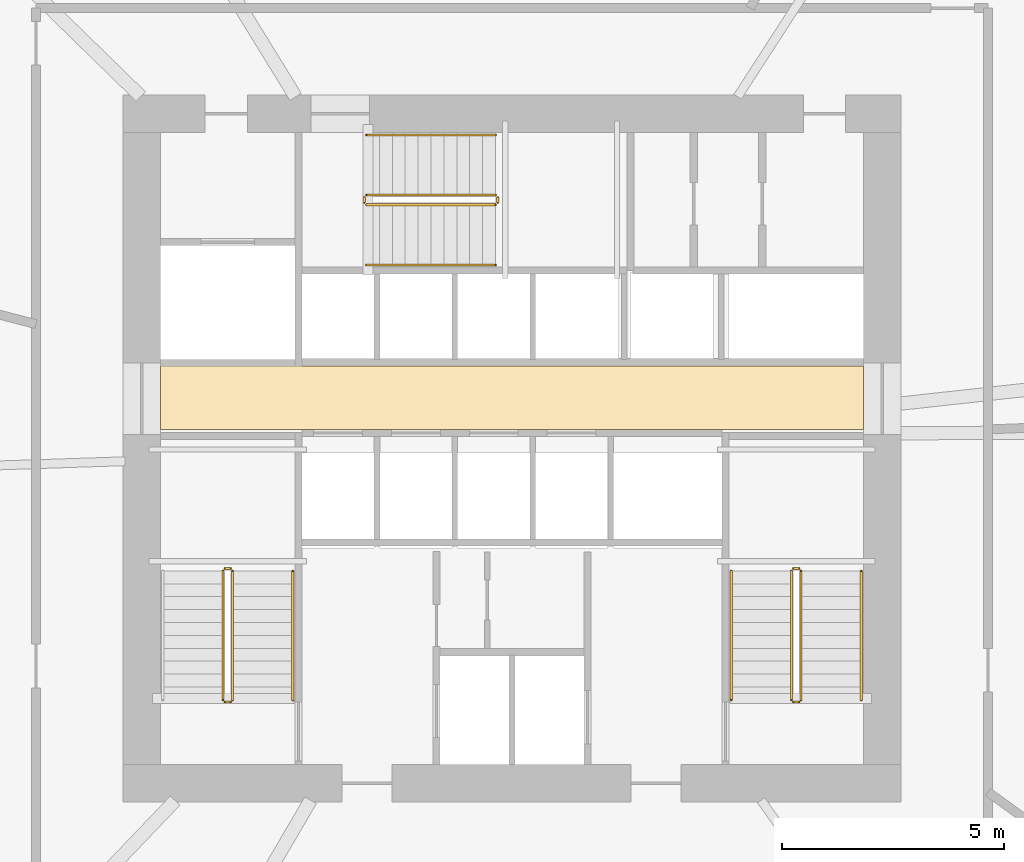
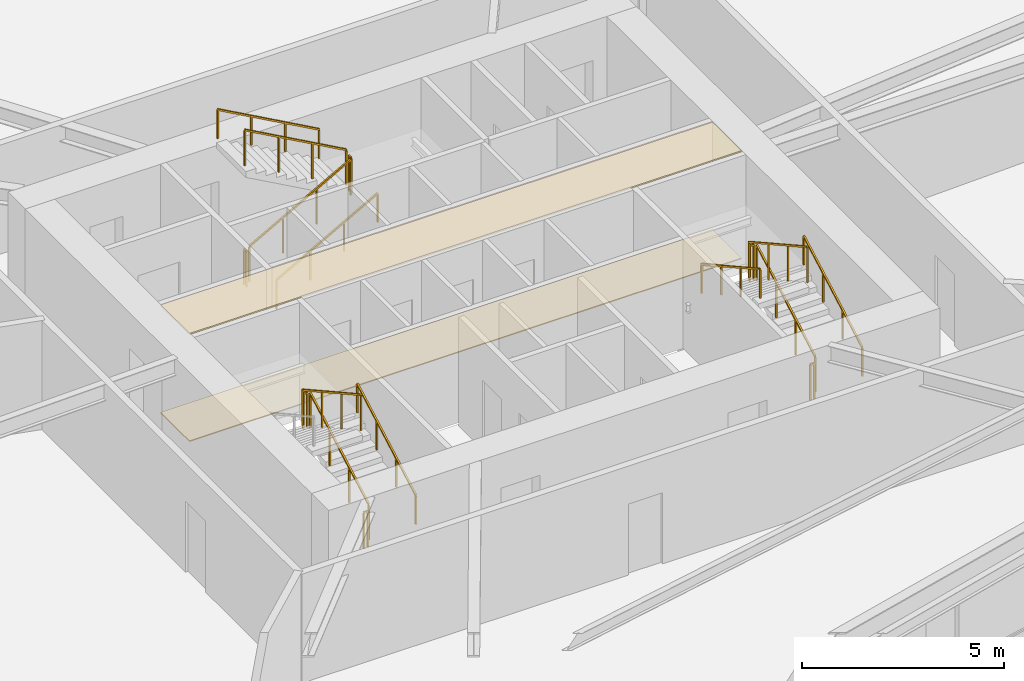
# One storey, part 20 of 21: 17 railings, 2 coverings.
"""IFC4 building model written with IfcOpenShell, lengths in metres."""

import ifcopenshell
import ifcopenshell.guid

model = None  # the IFC model being written
_history = None  # IfcOwnerHistory: only IFC2X3 demands one
_inside = {}  # id of a spatial element -> (the spatial element, [elements in it])
_under = {}  # id of a project, library or spatial element -> (it, [spatial elements below it])
_declared = {}  # id of a project -> (the project, [libraries it declares])
_typed = {}  # id of a type object -> (the type object, [elements of that type])
_made_of = {}  # id of a material, layer set ... -> (it, [elements and type objects made of it])


def new_model(schema):
    """Start an empty IFC model of exactly this schema.

    Asked for "IFC4X3", IfcOpenShell would pick the latest addendum, in which some entities
    have other attributes; the version numbers below select the first issue.
    IFC2X3 requires an IfcOwnerHistory on every rooted entity: one is made here for all.
    """
    global model, _history
    if schema == "IFC4X3":
        model = ifcopenshell.file(schema_version=(4, 3, 0, 0))
    else:
        model = ifcopenshell.file(schema=schema)
    _inside.clear()
    _under.clear()
    _declared.clear()
    _typed.clear()
    _made_of.clear()
    _history = None
    if model.schema == "IFC2X3":
        org = make("IfcOrganization", Name="unknown")
        user = make(
            "IfcPersonAndOrganization",
            ThePerson=make("IfcPerson", FamilyName="unknown"),
            TheOrganization=org,
        )
        app = make(
            "IfcApplication",
            ApplicationDeveloper=org,
            Version="unknown",
            ApplicationFullName="unknown",
            ApplicationIdentifier="unknown",
        )
        _history = make(
            "IfcOwnerHistory",
            OwningUser=user,
            OwningApplication=app,
            ChangeAction="ADDED",
            CreationDate=0,
        )
    return model


def make(cls, **values):
    """One entity of the class cls with the attributes given. An attribute that is None is left unset."""
    return model.create_entity(
        cls, **{name: value for name, value in values.items() if value is not None}
    )


def rooted(cls, **values):
    """An entity with a GlobalId (a new one), such as an element, a storey or a relation."""
    return make(cls, GlobalId=ifcopenshell.guid.new(), OwnerHistory=_history, **values)


def si_unit(unit_type, name, prefix=None):
    """IfcSIUnit, for example si_unit("LENGTHUNIT", "METRE", prefix="MILLI")."""
    return make("IfcSIUnit", UnitType=unit_type, Prefix=prefix, Name=name)


def assignment(units):
    """IfcUnitAssignment: the units of a project."""
    return None if units is None else make("IfcUnitAssignment", Units=units)


def point(xyz):
    """IfcCartesianPoint."""
    return None if xyz is None else make("IfcCartesianPoint", Coordinates=xyz)


def direction(xyz):
    """IfcDirection."""
    return None if xyz is None else make("IfcDirection", DirectionRatios=xyz)


def frame(location, z_axis=None, x_axis=None):
    """IfcAxis2Placement3D, a coordinate frame: its origin and axes. An axis left out is left unset."""
    return make(
        "IfcAxis2Placement3D",
        Location=point(location),
        Axis=direction(z_axis),
        RefDirection=direction(x_axis),
    )


def frame_2d(location, x_axis=None):
    """IfcAxis2Placement2D, a coordinate frame in the plane: its origin and x axis."""
    return make(
        "IfcAxis2Placement2D", Location=point(location), RefDirection=direction(x_axis)
    )


def origin():
    """The frame at (0, 0, 0) with its axes left unset."""
    return frame((0.0, 0.0, 0.0))


def origin_2d():
    """The frame at (0, 0) in the plane with its x axis left unset."""
    return frame_2d((0.0, 0.0))


def place(relative_to, where):
    """IfcLocalPlacement: puts the frame where relative to a parent placement (None: the world)."""
    return make(
        "IfcLocalPlacement", PlacementRelTo=relative_to, RelativePlacement=where
    )


def context(
    kind, dimensions, precision=None, world=None, true_north=None, identifier=None
):
    """IfcGeometricRepresentationContext, for example the 3D "Model" context."""
    return make(
        "IfcGeometricRepresentationContext",
        ContextIdentifier=identifier,
        ContextType=kind,
        CoordinateSpaceDimension=dimensions,
        Precision=precision,
        WorldCoordinateSystem=world,
        TrueNorth=true_north,
    )


def subcontext(parent, identifier, kind, view, scale=None):
    """IfcGeometricRepresentationSubContext, for example "Body" below "Model"."""
    return make(
        "IfcGeometricRepresentationSubContext",
        ContextIdentifier=identifier,
        ContextType=kind,
        ParentContext=parent,
        TargetScale=scale,
        TargetView=view,
    )


def project(units=None, contexts=None):
    """IfcProject with its units and contexts."""
    return rooted(
        "IfcProject",
        Name="project",
        RepresentationContexts=contexts,
        UnitsInContext=assignment(units),
    )


def spatial(cls, under=None, at=None, **own):
    """A site, building, storey or space (cls), placed at a placement, below another one or the project."""
    s = rooted(cls, ObjectPlacement=at, **own)
    if under is not None:
        _under.setdefault(under.id(), (under, []))[1].append(s)
    return s


def polyline(points):
    """IfcPolyline through the points."""
    return make("IfcPolyline", Points=[point(p) for p in points])


def profile(cls, at=None, kind="AREA", **sizes):
    """A parametric profile (cls). Its sizes go by their IFC names, for example OverallWidth=200.0."""
    return make(cls, ProfileType=kind, Position=at, **sizes)


def rectangle(**sizes):
    """IfcRectangleProfileDef."""
    return profile("IfcRectangleProfileDef", **sizes)


def outline(outer, holes=None, kind="AREA"):
    """IfcArbitraryClosedProfileDef: a profile drawn as a closed curve; with holes, ...WithVoids."""
    if holes is None:
        return make("IfcArbitraryClosedProfileDef", ProfileType=kind, OuterCurve=outer)
    return make(
        "IfcArbitraryProfileDefWithVoids",
        ProfileType=kind,
        OuterCurve=outer,
        InnerCurves=holes,
    )


def extrude(swept, where, along, depth):
    """IfcExtrudedAreaSolid: the profile swept, set in the frame where, extruded along a direction by depth."""
    return make(
        "IfcExtrudedAreaSolid",
        SweptArea=swept,
        Position=where,
        ExtrudedDirection=direction(along),
        Depth=depth,
    )


def shape(context_of_items, identifier, shape_type, items):
    """IfcShapeRepresentation: the items that make up one representation, for example the "Body"."""
    return make(
        "IfcShapeRepresentation",
        ContextOfItems=context_of_items,
        RepresentationIdentifier=identifier,
        RepresentationType=shape_type,
        Items=items,
    )


def material(Name=None, Category=None):
    """IfcMaterial."""
    return make("IfcMaterial", Name=Name, Category=Category)


def layer(
    of_material, thickness, ventilated=None, Name=None, Category=None, Priority=None
):
    """IfcMaterialLayer: one layer of a wall or slab, of a material (None: an air gap)."""
    return make(
        "IfcMaterialLayer",
        Material=of_material,
        LayerThickness=thickness,
        IsVentilated=ventilated,
        Name=Name,
        Category=Category,
        Priority=Priority,
    )


def layer_set(layers, Name=None):
    """IfcMaterialLayerSet."""
    return make("IfcMaterialLayerSet", MaterialLayers=layers, LayerSetName=Name)


def made_of(thing, what):
    """Note that an element or type object is made of a material, layer set ...; save() writes the relation."""
    if what is not None:
        _made_of.setdefault(what.id(), (what, []))[1].append(thing)
    return thing


def type_object(cls, material=None, **own):
    """A type object (cls), such as IfcWallType, which elements share."""
    return made_of(rooted(cls, **own), material)


def element(
    cls,
    number,
    at=None,
    inside=None,
    cuts=None,
    type_object=None,
    material=None,
    context=None,
    identifier="Body",
    shape_type=None,
    held_by="IfcProductDefinitionShape",
    body=None,
    shapes=None,
    **own,
):
    """One element of the class cls, such as IfcWall. Its Tag is "e" and its number.

    at: its placement. inside: the storey or other place that contains it. cuts: it is an
    opening in that element (IfcRelVoidsElement). A single representation is given by context,
    identifier, shape_type and body (its items); several are given by shapes. held_by: the class
    of the entity that holds the representations. save() writes the other relations.
    """
    e = rooted(cls, Tag="e%d" % number, ObjectPlacement=at, **own)
    if body is not None:
        shapes = [shape(context, identifier, shape_type, body)]
    if shapes is not None:
        e.Representation = make(held_by, Representations=shapes)
    if inside is not None:
        _inside.setdefault(inside.id(), (inside, []))[1].append(e)
    if cuts is not None:
        rooted(
            "IfcRelVoidsElement", RelatingBuildingElement=cuts, RelatedOpeningElement=e
        )
    if type_object is not None:
        _typed.setdefault(type_object.id(), (type_object, []))[1].append(e)
    return made_of(e, material)


def aggregate(whole, parts):
    """IfcRelAggregates: a whole, such as a stair, and the parts it consists of."""
    return rooted("IfcRelAggregates", RelatingObject=whole, RelatedObjects=parts)


def save(model, path):
    """Write the relations noted so far, then the file.

    IfcRelAggregates (storeys below a building ...), IfcRelContainedInSpatialStructure (elements
    in a storey), IfcRelDefinesByType, IfcRelAssociatesMaterial and IfcRelDeclares: one each for
    every whole, place, type object, material and project.
    """
    for whole, parts in _under.values():
        aggregate(whole, parts)
    for where, things in _inside.values():
        rooted(
            "IfcRelContainedInSpatialStructure",
            RelatedElements=things,
            RelatingStructure=where,
        )
    for kind, things in _typed.values():
        rooted("IfcRelDefinesByType", RelatedObjects=things, RelatingType=kind)
    for what, things in _made_of.values():
        rooted("IfcRelAssociatesMaterial", RelatedObjects=things, RelatingMaterial=what)
    for by, libraries in _declared.values():
        rooted("IfcRelDeclares", RelatingContext=by, RelatedDefinitions=libraries)
    model.write(path)


model = new_model("IFC4")

# Units and contexts
model_context = context("Model", 3, precision=1e-05, world=origin(), true_north=direction((0.0, 1.0)))
body_context = subcontext(model_context, "Body", "Model", "MODEL_VIEW")
ifc_project = project(units=[si_unit("LENGTHUNIT", "METRE"), si_unit("AREAUNIT", "SQUARE_METRE"), si_unit("VOLUMEUNIT", "CUBIC_METRE"), si_unit("PLANEANGLEUNIT", "RADIAN"), si_unit("MASSUNIT", "GRAM", prefix="KILO")], contexts=[model_context])

# Site, building, storey
site_placement = place(None, origin())
site = spatial("IfcSite", under=ifc_project, at=site_placement, CompositionType="ELEMENT")
building_placement = place(site_placement, origin())
building = spatial("IfcBuilding", under=site, at=building_placement, Name="Olszyna Solenne Hotel", CompositionType="ELEMENT")
storey_placement = place(building_placement, frame((0.0, 0.0, 39.949951171875)))
storey = spatial("IfcBuildingStorey", under=building, at=storey_placement, Name="L09", CompositionType="ELEMENT", Elevation=39.949951171875)

# Coverings
ifc_material_1 = material(Name="Mineral wool acoustic ceiling")
ifc_layer_1 = layer(ifc_material_1, 0.0400390625, Name="Mineral wool acoustic ceiling")
ifc_layer_set_1 = layer_set([ifc_layer_1], Name="Mineral wool acoustic ceiling")
covering_type_1 = type_object("IfcCoveringType", Name="CL-AC1", PredefinedType="CEILING", material=ifc_layer_set_1)
covering_1_placement = place(storey_placement, frame((0.0, 0.0, 3.239990234375)))
element("IfcCovering", 1, at=covering_1_placement, inside=storey, type_object=covering_type_1, Name="Lift lobby acoustic tile ceiling CL-L09-01", PredefinedType="CEILING", context=body_context, shape_type="SweptSolid", body=[
    extrude(outline(polyline([(30.10009765625, 27.030029296875), (45.89990234375, 27.030029296875), (45.89990234375, 28.4599609375), (30.10009765625, 28.4599609375), (30.10009765625, 27.030029296875)])), origin(), (0.0, 0.0, 1.0), 0.0400390625),
])
ifc_material_2 = material(Name="Ceramic floor tile")
ifc_layer_2 = layer(ifc_material_2, 0.030029296875, Name="Ceramic floor tile")
ifc_layer_set_2 = layer_set([ifc_layer_2], Name="Ceramic floor tile")
covering_type_2 = type_object("IfcCoveringType", Name="FL-TL1", PredefinedType="FLOORING", material=ifc_layer_set_2)
covering_2_placement = place(storey_placement, origin())
element("IfcCovering", 2, at=covering_2_placement, inside=storey, type_object=covering_type_2, Name="Lift lobby stoneware floor finish FLR-L09-01", PredefinedType="FLOORING", context=body_context, shape_type="SweptSolid", body=[
    extrude(outline(polyline([(30.10009765625, 27.030029296875), (45.89990234375, 27.030029296875), (45.89990234375, 28.4599609375), (30.10009765625, 28.4599609375), (30.10009765625, 27.030029296875)])), origin(), (0.0, 0.0, 1.0), 0.030029296875),
])

# Railings
ifc_material_3 = material(Name="Anodised bronze aluminium", Category="aluminium")
railing_type_1 = type_object("IfcRailingType", Name="GR-110", PredefinedType="BALUSTRADE", material=ifc_material_3)
railing_1_placement = place(storey_placement, frame((31.719970703125, 20.949951171875, 0.161376953125)))
element("IfcRailing", 3, at=railing_1_placement, inside=storey, type_object=railing_type_1, Name="L09 ST1 stair guard 1", PredefinedType="BALUSTRADE", context=body_context, shape_type="SweptSolid", body=[
    extrude(rectangle(XDim=0.048095703125, YDim=0.048095703125, at=origin_2d()), frame((0.0, 0.0, 1.076171875), z_axis=(0.0, 0.873827439584, 0.48623616261), x_axis=(-1.0, 0.0, 0.0)), (0.0, 0.0, 1.0), 3.31884765625),
    extrude(rectangle(XDim=0.0419921875, YDim=0.0419921875, at=origin_2d()), origin(), (0.0, 0.0, 1.0), 1.052001953125),
    extrude(rectangle(XDim=0.0419921875, YDim=0.0419921875, at=origin_2d()), frame((0.0, 0.966796875, 0.537841796875)), (0.0, 0.0, 1.0), 1.052001953125),
    extrude(rectangle(XDim=0.0419921875, YDim=0.0419921875, at=origin_2d()), frame((0.0, 1.933349609375, 1.075927734375)), (0.0, 0.0, 1.0), 1.052001953125),
    extrude(rectangle(XDim=0.0419921875, YDim=0.0419921875, at=origin_2d()), frame((0.0, 2.900146484375, 1.61376953125)), (0.0, 0.0, 1.0), 1.052001953125),
])
railing_2_placement = place(storey_placement, frame((31.669921875, 23.89990234375, 1.775146484375)))
element("IfcRailing", 4, at=railing_2_placement, inside=storey, type_object=railing_type_1, Name="L09 ST1 stair guard 2", PredefinedType="BALUSTRADE", context=body_context, shape_type="SweptSolid", body=[
    extrude(rectangle(XDim=0.048095703125, YDim=0.048095703125, at=origin_2d()), frame((0.0, 0.0, 1.076171875), z_axis=(-1.0, 0.0, 0.0), x_axis=(0.0, -1.0, 0.0)), (0.0, 0.0, 1.0), 0.119873046875),
    extrude(rectangle(XDim=0.0419921875, YDim=0.0419921875, at=origin_2d()), origin(), (0.0, 0.0, 1.0), 1.052001953125),
    extrude(rectangle(XDim=0.0419921875, YDim=0.0419921875, at=origin_2d()), frame((-0.119873046875, 0.0, 0.0)), (0.0, 0.0, 1.0), 1.052001953125),
])
railing_3_placement = place(storey_placement, frame((31.5, 23.85009765625, 1.9365234375)))
element("IfcRailing", 5, at=railing_3_placement, inside=storey, type_object=railing_type_1, Name="L09 ST1 stair guard 3", PredefinedType="BALUSTRADE", context=body_context, shape_type="SweptSolid", body=[
    extrude(rectangle(XDim=0.048095703125, YDim=0.048095703125, at=origin_2d()), frame((0.0, 0.0, 1.076171875), z_axis=(0.0, -0.873858693841, 0.486179990537), x_axis=(1.0, 0.0, 0.0)), (0.0, 0.0, 1.0), 3.31884765625),
    extrude(rectangle(XDim=0.0419921875, YDim=0.0419921875, at=origin_2d()), origin(), (0.0, 0.0, 1.0), 1.052001953125),
    extrude(rectangle(XDim=0.0419921875, YDim=0.0419921875, at=origin_2d()), frame((0.0, -0.966796875, 0.537841796875)), (0.0, 0.0, 1.0), 1.052001953125),
    extrude(rectangle(XDim=0.0419921875, YDim=0.0419921875, at=origin_2d()), frame((0.0, -1.933349609375, 1.07568359375)), (0.0, 0.0, 1.0), 1.052001953125),
    extrude(rectangle(XDim=0.0419921875, YDim=0.0419921875, at=origin_2d()), frame((0.0, -2.900146484375, 1.613525390625)), (0.0, 0.0, 1.0), 1.052001953125),
])
railing_4_placement = place(storey_placement, frame((31.669921875, 20.89990234375, 0.0)))
element("IfcRailing", 6, at=railing_4_placement, inside=storey, type_object=railing_type_1, Name="L09 ST1 stair guard 4", PredefinedType="BALUSTRADE", context=body_context, shape_type="SweptSolid", body=[
    extrude(rectangle(XDim=0.048095703125, YDim=0.048095703125, at=origin_2d()), frame((0.0, 0.0, 1.076171875), z_axis=(-1.0, 0.0, 0.0), x_axis=(0.0, -1.0, 0.0)), (0.0, 0.0, 1.0), 0.119873046875),
    extrude(rectangle(XDim=0.0419921875, YDim=0.0419921875, at=origin_2d()), origin(), (0.0, 0.0, 1.0), 1.052001953125),
    extrude(rectangle(XDim=0.0419921875, YDim=0.0419921875, at=origin_2d()), frame((-0.119873046875, 0.0, 0.0)), (0.0, 0.0, 1.0), 1.052001953125),
])
railing_5_placement = place(storey_placement, frame((44.5, 20.949951171875, 0.161376953125)))
element("IfcRailing", 7, at=railing_5_placement, inside=storey, type_object=railing_type_1, Name="L09 ST2 stair guard 1", PredefinedType="BALUSTRADE", context=body_context, shape_type="SweptSolid", body=[
    extrude(rectangle(XDim=0.048095703125, YDim=0.048095703125, at=origin_2d()), frame((0.0, 0.0, 1.076171875), z_axis=(0.0, 0.873827439584, 0.48623616261), x_axis=(-1.0, 0.0, 0.0)), (0.0, 0.0, 1.0), 3.31884765625),
    extrude(rectangle(XDim=0.0419921875, YDim=0.0419921875, at=origin_2d()), origin(), (0.0, 0.0, 1.0), 1.052001953125),
    extrude(rectangle(XDim=0.0419921875, YDim=0.0419921875, at=origin_2d()), frame((0.0, 0.966796875, 0.537841796875)), (0.0, 0.0, 1.0), 1.052001953125),
    extrude(rectangle(XDim=0.0419921875, YDim=0.0419921875, at=origin_2d()), frame((0.0, 1.933349609375, 1.075927734375)), (0.0, 0.0, 1.0), 1.052001953125),
    extrude(rectangle(XDim=0.0419921875, YDim=0.0419921875, at=origin_2d()), frame((0.0, 2.900146484375, 1.61376953125)), (0.0, 0.0, 1.0), 1.052001953125),
])
railing_6_placement = place(storey_placement, frame((44.449951171875, 23.89990234375, 1.775146484375)))
element("IfcRailing", 8, at=railing_6_placement, inside=storey, type_object=railing_type_1, Name="L09 ST2 stair guard 2", PredefinedType="BALUSTRADE", context=body_context, shape_type="SweptSolid", body=[
    extrude(rectangle(XDim=0.048095703125, YDim=0.048095703125, at=origin_2d()), frame((0.0, 0.0, 1.076171875), z_axis=(-1.0, 0.0, 0.0), x_axis=(0.0, -1.0, 0.0)), (0.0, 0.0, 1.0), 0.119873046875),
    extrude(rectangle(XDim=0.0419921875, YDim=0.0419921875, at=origin_2d()), origin(), (0.0, 0.0, 1.0), 1.052001953125),
    extrude(rectangle(XDim=0.0419921875, YDim=0.0419921875, at=origin_2d()), frame((-0.119873046875, 0.0, 0.0)), (0.0, 0.0, 1.0), 1.052001953125),
])
railing_7_placement = place(storey_placement, frame((44.280029296875, 23.85009765625, 1.9365234375)))
element("IfcRailing", 9, at=railing_7_placement, inside=storey, type_object=railing_type_1, Name="L09 ST2 stair guard 3", PredefinedType="BALUSTRADE", context=body_context, shape_type="SweptSolid", body=[
    extrude(rectangle(XDim=0.048095703125, YDim=0.048095703125, at=origin_2d()), frame((0.0, 0.0, 1.076171875), z_axis=(0.0, -0.873858693841, 0.486179990537), x_axis=(1.0, 0.0, 0.0)), (0.0, 0.0, 1.0), 3.31884765625),
    extrude(rectangle(XDim=0.0419921875, YDim=0.0419921875, at=origin_2d()), origin(), (0.0, 0.0, 1.0), 1.052001953125),
    extrude(rectangle(XDim=0.0419921875, YDim=0.0419921875, at=origin_2d()), frame((0.0, -0.966796875, 0.537841796875)), (0.0, 0.0, 1.0), 1.052001953125),
    extrude(rectangle(XDim=0.0419921875, YDim=0.0419921875, at=origin_2d()), frame((0.0, -1.933349609375, 1.07568359375)), (0.0, 0.0, 1.0), 1.052001953125),
    extrude(rectangle(XDim=0.0419921875, YDim=0.0419921875, at=origin_2d()), frame((0.0, -2.900146484375, 1.613525390625)), (0.0, 0.0, 1.0), 1.052001953125),
])
railing_8_placement = place(storey_placement, frame((44.449951171875, 20.89990234375, 0.0)))
element("IfcRailing", 10, at=railing_8_placement, inside=storey, type_object=railing_type_1, Name="L09 ST2 stair guard 4", PredefinedType="BALUSTRADE", context=body_context, shape_type="SweptSolid", body=[
    extrude(rectangle(XDim=0.048095703125, YDim=0.048095703125, at=origin_2d()), frame((0.0, 0.0, 1.076171875), z_axis=(-1.0, 0.0, 0.0), x_axis=(0.0, -1.0, 0.0)), (0.0, 0.0, 1.0), 0.119873046875),
    extrude(rectangle(XDim=0.0419921875, YDim=0.0419921875, at=origin_2d()), origin(), (0.0, 0.0, 1.0), 1.052001953125),
    extrude(rectangle(XDim=0.0419921875, YDim=0.0419921875, at=origin_2d()), frame((-0.119873046875, 0.0, 0.0)), (0.0, 0.0, 1.0), 1.052001953125),
])
railing_9_placement = place(storey_placement, frame((34.72998046875, 32.080078125, 0.161376953125)))
element("IfcRailing", 11, at=railing_9_placement, inside=storey, type_object=railing_type_1, Name="L09 ST3 stair guard 1", PredefinedType="BALUSTRADE", context=body_context, shape_type="SweptSolid", body=[
    extrude(rectangle(XDim=0.048095703125, YDim=0.048095703125, at=origin_2d()), frame((0.0, 0.0, 1.076171875), z_axis=(0.873810046276, 0.0, 0.486267419253), x_axis=(0.0, 1.0, 0.0)), (0.0, 0.0, 1.0), 3.318603515625),
    extrude(rectangle(XDim=0.0419921875, YDim=0.0419921875, at=origin_2d()), origin(), (0.0, 0.0, 1.0), 1.052001953125),
    extrude(rectangle(XDim=0.0419921875, YDim=0.0419921875, at=origin_2d()), frame((0.966552734375, 0.0, 0.537841796875)), (0.0, 0.0, 1.0), 1.052001953125),
    extrude(rectangle(XDim=0.0419921875, YDim=0.0419921875, at=origin_2d()), frame((1.933349609375, 0.0, 1.075927734375)), (0.0, 0.0, 1.0), 1.052001953125),
    extrude(rectangle(XDim=0.0419921875, YDim=0.0419921875, at=origin_2d()), frame((2.89990234375, 0.0, 1.61376953125)), (0.0, 0.0, 1.0), 1.052001953125),
])
railing_10_placement = place(storey_placement, frame((37.679931640625, 32.1298828125, 1.775146484375)))
element("IfcRailing", 12, at=railing_10_placement, inside=storey, type_object=railing_type_1, Name="L09 ST3 stair guard 2", PredefinedType="BALUSTRADE", context=body_context, shape_type="SweptSolid", body=[
    extrude(rectangle(XDim=0.048095703125, YDim=0.048095703125, at=origin_2d()), frame((0.0, 0.0, 1.076171875), z_axis=(0.0, 1.0, 0.0), x_axis=(-1.0, 0.0, 0.0)), (0.0, 0.0, 1.0), 0.1201171875),
    extrude(rectangle(XDim=0.0419921875, YDim=0.0419921875, at=origin_2d()), origin(), (0.0, 0.0, 1.0), 1.052001953125),
    extrude(rectangle(XDim=0.0419921875, YDim=0.0419921875, at=origin_2d()), frame((0.0, 0.1201171875, 0.0)), (0.0, 0.0, 1.0), 1.052001953125),
])
railing_11_placement = place(storey_placement, frame((37.6298828125, 32.300048828125, 1.9365234375)))
element("IfcRailing", 13, at=railing_11_placement, inside=storey, type_object=railing_type_1, Name="L09 ST3 stair guard 3", PredefinedType="BALUSTRADE", context=body_context, shape_type="SweptSolid", body=[
    extrude(rectangle(XDim=0.048095703125, YDim=0.048095703125, at=origin_2d()), frame((0.0, 0.0, 1.076171875), z_axis=(-0.873841303929, 0.0, 0.486211245805), x_axis=(0.0, -1.0, 0.0)), (0.0, 0.0, 1.0), 3.318603515625),
    extrude(rectangle(XDim=0.0419921875, YDim=0.0419921875, at=origin_2d()), origin(), (0.0, 0.0, 1.0), 1.052001953125),
    extrude(rectangle(XDim=0.0419921875, YDim=0.0419921875, at=origin_2d()), frame((-0.966552734375, 0.0, 0.537841796875)), (0.0, 0.0, 1.0), 1.052001953125),
    extrude(rectangle(XDim=0.0419921875, YDim=0.0419921875, at=origin_2d()), frame((-1.933349609375, 0.0, 1.07568359375)), (0.0, 0.0, 1.0), 1.052001953125),
    extrude(rectangle(XDim=0.0419921875, YDim=0.0419921875, at=origin_2d()), frame((-2.89990234375, 0.0, 1.613525390625)), (0.0, 0.0, 1.0), 1.052001953125),
])
railing_12_placement = place(storey_placement, frame((34.679931640625, 32.1298828125, 0.0)))
element("IfcRailing", 14, at=railing_12_placement, inside=storey, type_object=railing_type_1, Name="L09 ST3 stair guard 4", PredefinedType="BALUSTRADE", context=body_context, shape_type="SweptSolid", body=[
    extrude(rectangle(XDim=0.048095703125, YDim=0.048095703125, at=origin_2d()), frame((0.0, 0.0, 1.076171875), z_axis=(0.0, 1.0, 0.0), x_axis=(-1.0, 0.0, 0.0)), (0.0, 0.0, 1.0), 0.1201171875),
    extrude(rectangle(XDim=0.0419921875, YDim=0.0419921875, at=origin_2d()), origin(), (0.0, 0.0, 1.0), 1.052001953125),
    extrude(rectangle(XDim=0.0419921875, YDim=0.0419921875, at=origin_2d()), frame((0.0, 0.1201171875, 0.0)), (0.0, 0.0, 1.0), 1.052001953125),
])
ifc_material_4 = material(Name="Steel S355J2", Category="steel")
railing_type_2 = type_object("IfcRailingType", Name="HR-090", PredefinedType="HANDRAIL", material=ifc_material_4)
for number, where, name in (
    (15, (33.070068359375, 20.949951171875, 0.161376953125), "L09 ST1 stair handrail 1"),
    (16, (45.85009765625, 20.949951171875, 0.161376953125), "L09 ST2 stair handrail 1"),
):
    element("IfcRailing", number, at=place(storey_placement, frame(where)), inside=storey, type_object=railing_type_2, Name=name, PredefinedType="HANDRAIL", context=body_context, shape_type="SweptSolid", body=[
        extrude(rectangle(XDim=0.048095703125, YDim=0.048095703125, at=origin_2d()), frame((0.0, 0.0, 0.8759765625), z_axis=(0.0, 0.873827439584, 0.48623616261), x_axis=(-1.0, 0.0, 0.0)), (0.0, 0.0, 1.0), 3.31884765625),
        extrude(rectangle(XDim=0.0419921875, YDim=0.0419921875, at=origin_2d()), origin(), (0.0, 0.0, 1.0), 0.851806640625),
        extrude(rectangle(XDim=0.0419921875, YDim=0.0419921875, at=origin_2d()), frame((0.0, 0.966796875, 0.537841796875)), (0.0, 0.0, 1.0), 0.851806640625),
        extrude(rectangle(XDim=0.0419921875, YDim=0.0419921875, at=origin_2d()), frame((0.0, 1.933349609375, 1.075927734375)), (0.0, 0.0, 1.0), 0.851806640625),
        extrude(rectangle(XDim=0.0419921875, YDim=0.0419921875, at=origin_2d()), frame((0.0, 2.900146484375, 1.61376953125)), (0.0, 0.0, 1.0), 0.851806640625),
    ])
railing_13_placement = place(storey_placement, frame((42.929931640625, 23.85009765625, 1.9365234375)))
element("IfcRailing", 17, at=railing_13_placement, inside=storey, type_object=railing_type_2, Name="L09 ST2 stair handrail 2", PredefinedType="HANDRAIL", context=body_context, shape_type="SweptSolid", body=[
    extrude(rectangle(XDim=0.048095703125, YDim=0.048095703125, at=origin_2d()), frame((0.0, 0.0, 0.8759765625), z_axis=(0.0, -0.873858693841, 0.486179990537), x_axis=(1.0, 0.0, 0.0)), (0.0, 0.0, 1.0), 3.31884765625),
    extrude(rectangle(XDim=0.0419921875, YDim=0.0419921875, at=origin_2d()), origin(), (0.0, 0.0, 1.0), 0.851806640625),
    extrude(rectangle(XDim=0.0419921875, YDim=0.0419921875, at=origin_2d()), frame((0.0, -0.966796875, 0.537841796875)), (0.0, 0.0, 1.0), 0.851806640625),
    extrude(rectangle(XDim=0.0419921875, YDim=0.0419921875, at=origin_2d()), frame((0.0, -1.933349609375, 1.07568359375)), (0.0, 0.0, 1.0), 0.851806640625),
    extrude(rectangle(XDim=0.0419921875, YDim=0.0419921875, at=origin_2d()), frame((0.0, -2.900146484375, 1.613525390625)), (0.0, 0.0, 1.0), 0.851806640625),
])
railing_14_placement = place(storey_placement, frame((34.72998046875, 30.72998046875, 0.161376953125)))
element("IfcRailing", 18, at=railing_14_placement, inside=storey, type_object=railing_type_2, Name="L09 ST3 stair handrail 1", PredefinedType="HANDRAIL", context=body_context, shape_type="SweptSolid", body=[
    extrude(rectangle(XDim=0.048095703125, YDim=0.048095703125, at=origin_2d()), frame((0.0, 0.0, 0.8759765625), z_axis=(0.873810046276, 0.0, 0.486267419253), x_axis=(0.0, 1.0, 0.0)), (0.0, 0.0, 1.0), 3.318603515625),
    extrude(rectangle(XDim=0.0419921875, YDim=0.0419921875, at=origin_2d()), origin(), (0.0, 0.0, 1.0), 0.851806640625),
    extrude(rectangle(XDim=0.0419921875, YDim=0.0419921875, at=origin_2d()), frame((0.966552734375, 0.0, 0.537841796875)), (0.0, 0.0, 1.0), 0.851806640625),
    extrude(rectangle(XDim=0.0419921875, YDim=0.0419921875, at=origin_2d()), frame((1.933349609375, 0.0, 1.075927734375)), (0.0, 0.0, 1.0), 0.851806640625),
    extrude(rectangle(XDim=0.0419921875, YDim=0.0419921875, at=origin_2d()), frame((2.89990234375, 0.0, 1.61376953125)), (0.0, 0.0, 1.0), 0.851806640625),
])
railing_15_placement = place(storey_placement, frame((37.6298828125, 33.64990234375, 1.9365234375)))
element("IfcRailing", 19, at=railing_15_placement, inside=storey, type_object=railing_type_2, Name="L09 ST3 stair handrail 2", PredefinedType="HANDRAIL", context=body_context, shape_type="SweptSolid", body=[
    extrude(rectangle(XDim=0.048095703125, YDim=0.048095703125, at=origin_2d()), frame((0.0, 0.0, 0.8759765625), z_axis=(-0.873841303929, 0.0, 0.486211245805), x_axis=(0.0, -1.0, 0.0)), (0.0, 0.0, 1.0), 3.318603515625),
    extrude(rectangle(XDim=0.0419921875, YDim=0.0419921875, at=origin_2d()), origin(), (0.0, 0.0, 1.0), 0.851806640625),
    extrude(rectangle(XDim=0.0419921875, YDim=0.0419921875, at=origin_2d()), frame((-0.966552734375, 0.0, 0.537841796875)), (0.0, 0.0, 1.0), 0.851806640625),
    extrude(rectangle(XDim=0.0419921875, YDim=0.0419921875, at=origin_2d()), frame((-1.933349609375, 0.0, 1.07568359375)), (0.0, 0.0, 1.0), 0.851806640625),
    extrude(rectangle(XDim=0.0419921875, YDim=0.0419921875, at=origin_2d()), frame((-2.89990234375, 0.0, 1.613525390625)), (0.0, 0.0, 1.0), 0.851806640625),
])

save(model, "model.ifc")
